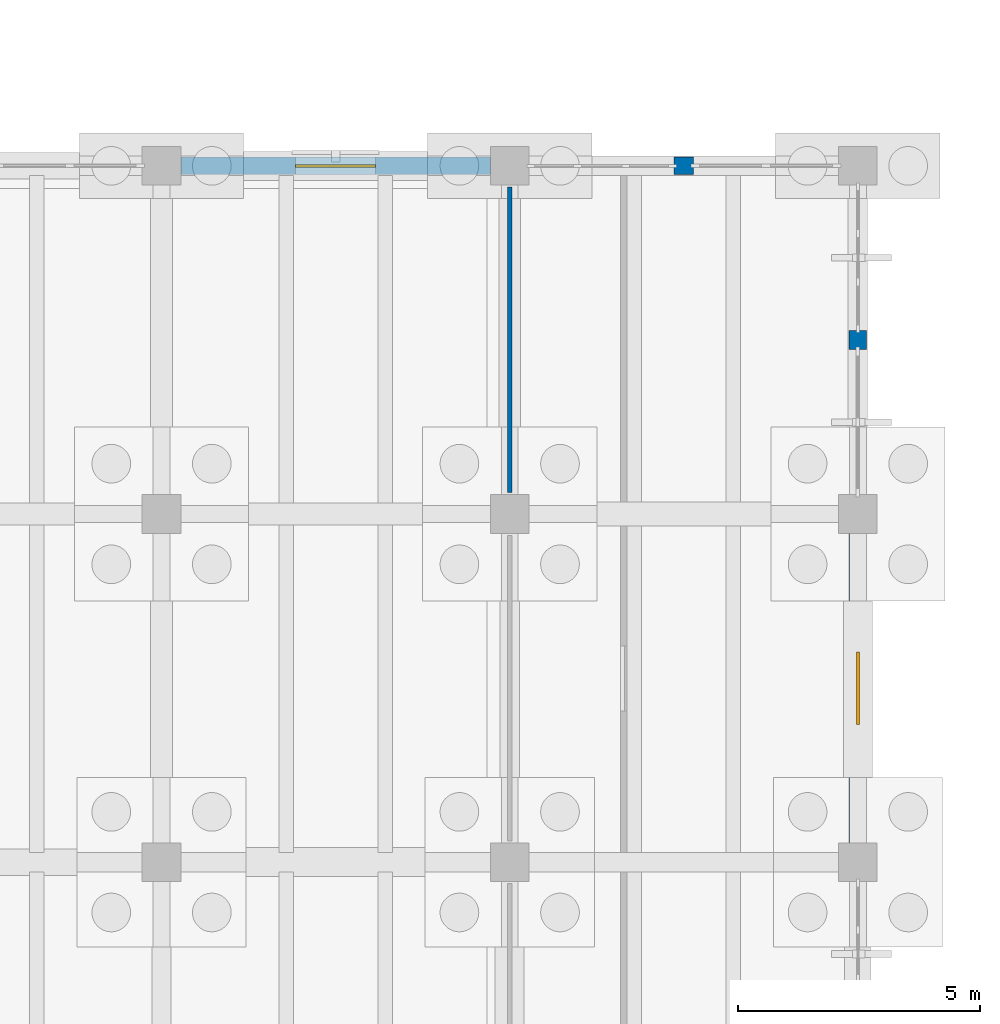
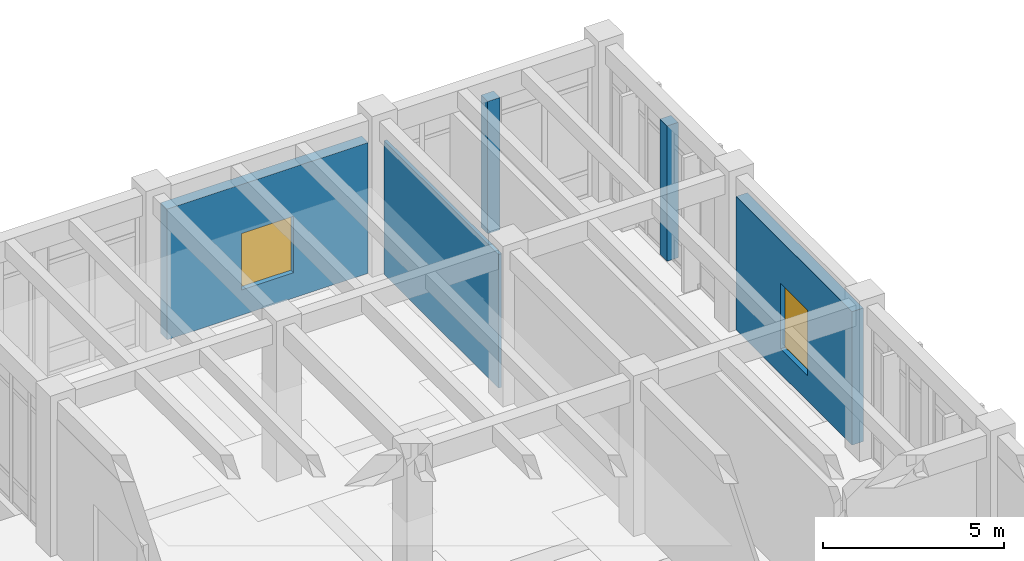
# One storey, part 72 of 93: 5 walls, 2 windows, 2 openings.
"""IFC4 building model written with IfcOpenShell, lengths in metres."""

from ifc_helpers import new_model, si_unit, direction, frame, frame_2d, origin, place, context, subcontext, project, spatial, rectangle, extrude, material, layer, layer_set, type_object, element, fill, save


model = new_model("IFC4")

# Units and contexts
model_context = context("Model", 3, precision=1e-05, world=origin(), true_north=direction((0.0, 1.0)))
body_context = subcontext(model_context, "Body", "Model", "MODEL_VIEW")
ifc_project = project(units=[si_unit("LENGTHUNIT", "METRE"), si_unit("AREAUNIT", "SQUARE_METRE"), si_unit("VOLUMEUNIT", "CUBIC_METRE"), si_unit("PLANEANGLEUNIT", "RADIAN"), si_unit("MASSUNIT", "GRAM", prefix="KILO")], contexts=[model_context])

# Site, building, storey
site_placement = place(None, origin())
site = spatial("IfcSite", under=ifc_project, at=site_placement, CompositionType="ELEMENT")
building_placement = place(site_placement, origin())
building = spatial("IfcBuilding", under=site, at=building_placement, Name="Koriwan Promenade Central Fire Station", CompositionType="ELEMENT")
storey_placement = place(building_placement, origin())
storey = spatial("IfcBuildingStorey", under=building, at=storey_placement, Name="L00", CompositionType="ELEMENT", Elevation=0.0)

# Wall, opening, window
ifc_material_1 = material(Name="Natural sillar sandstone ashlar", Category="masonry")
ifc_layer_1 = layer(ifc_material_1, 0.360107421875, Name="Natural sillar sandstone ashlar")
ifc_layer_set_1 = layer_set([ifc_layer_1], Name="Natural sillar sandstone ashlar")
wall_type_1 = type_object("IfcWallType", Name="ExtWall_SillarBase_360", PredefinedType="SOLIDWALL", material=ifc_layer_set_1)
wall_1_placement = place(storey_placement, frame((158.800048828125, 79.199951171875, 0.0), z_axis=(0.0, 0.0, 1.0), x_axis=(1.0, 0.0, 0.0)))
wall_1 = element("IfcWall", 1, at=wall_1_placement, inside=storey, type_object=wall_type_1, Name="V5 L00 exterior wall 222", PredefinedType="SOLIDWALL", context=body_context, shape_type="SweptSolid", body=[
    extrude(rectangle(XDim=6.39990234375, YDim=0.360107421875, at=frame_2d((3.199951171875, 0.0))), origin(), (0.0, 0.0, 1.0), 4.39990234375),
])
opening_1_placement = place(wall_1_placement, frame((2.375, 0.0, 0.85009765625)))
opening_1 = element("IfcOpeningElement", 2, at=opening_1_placement, cuts=wall_1, Name="Opening W-15", PredefinedType="OPENING", context=body_context, shape_type="SweptSolid", body=[
    extrude(rectangle(XDim=1.64990234375, YDim=1.89990234375, at=frame_2d((0.824951171875, 0.949951171875))), frame((0.0, 0.19189453125, 0.0), z_axis=(0.0, -1.0, 0.0), x_axis=(1.0, 0.0, 0.0)), (0.0, 0.0, 1.0), 0.384033203125),
])
ifc_material_2 = material(Name="Solar-control low-E laminated double glazing", Category="glass")
window_type_1 = type_object("IfcWindowType", Name="Win_Office_1650x1900", PartitioningType="SINGLE_PANEL", PredefinedType="WINDOW", material=ifc_material_2)
window_1_placement = place(opening_1_placement, origin())
window_1 = element("IfcWindow", 3, at=window_1_placement, inside=storey, type_object=window_type_1, Name="V5 L00 window 0090", OverallHeight=1.89990234375, OverallWidth=1.64990234375, PartitioningType="SINGLE_PANEL", PredefinedType="WINDOW", context=body_context, shape_type="SweptSolid", body=[
    extrude(rectangle(XDim=1.64990234375, YDim=1.89990234375, at=frame_2d((0.824951171875, 0.949951171875))), frame((0.0, 0.030029296875, 0.0), z_axis=(0.0, -1.0, 0.0), x_axis=(1.0, 0.0, 0.0)), (0.0, 0.0, 1.0), 0.06005859375),
])
fill(opening_1, window_1)

# Walls
wall_2_placement = place(storey_placement, frame((169.0, 79.199951171875, 0.0), z_axis=(0.0, 0.0, 1.0), x_axis=(1.0, 0.0, 0.0)))
element("IfcWall", 4, at=wall_2_placement, inside=storey, type_object=wall_type_1, Name="V5 L00 sillar facade mullion pier 223", PredefinedType="SOLIDWALL", context=body_context, shape_type="SweptSolid", body=[
    extrude(rectangle(XDim=0.39990234375, YDim=0.360107421875, at=frame_2d((0.199951171875, 0.0))), origin(), (0.0, 0.0, 1.0), 4.449951171875),
])
wall_3_placement = place(storey_placement, frame((172.800048828125, 75.800048828125, 0.0), z_axis=(0.0, 0.0, 1.0), x_axis=(0.0, -1.0, 0.0)))
element("IfcWall", 5, at=wall_3_placement, inside=storey, type_object=wall_type_1, Name="V5 L00 sillar facade mullion pier 224", PredefinedType="SOLIDWALL", context=body_context, shape_type="SweptSolid", body=[
    extrude(rectangle(XDim=0.400146484375, YDim=0.360107421875, at=frame_2d((0.2001953125, 0.0))), origin(), (0.0, 0.0, 1.0), 4.550048828125),
])

# Wall, opening, window
wall_4_placement = place(storey_placement, frame((172.800048828125, 71.60009765625, 0.0), z_axis=(0.0, 0.0, 1.0), x_axis=(0.0, -1.0, 0.0)))
wall_4 = element("IfcWall", 6, at=wall_4_placement, inside=storey, type_object=wall_type_1, Name="V5 L00 exterior wall 225", PredefinedType="SOLIDWALL", context=body_context, shape_type="SweptSolid", body=[
    extrude(rectangle(XDim=6.400146484375, YDim=0.360107421875, at=frame_2d((3.2001953125, 0.0))), origin(), (0.0, 0.0, 1.0), 4.489990234375),
])
opening_2_placement = place(wall_4_placement, frame((2.449951171875, 0.0, 0.85009765625)))
opening_2 = element("IfcOpeningElement", 7, at=opening_2_placement, cuts=wall_4, Name="Opening W-02", PredefinedType="OPENING", context=body_context, shape_type="SweptSolid", body=[
    extrude(rectangle(XDim=1.5, YDim=2.199951171875, at=frame_2d((0.75, 1.10009765625))), frame((0.0, 0.19189453125, 0.0), z_axis=(0.0, -1.0, 0.0), x_axis=(1.0, 0.0, 0.0)), (0.0, 0.0, 1.0), 0.384033203125),
])
window_type_2 = type_object("IfcWindowType", Name="Win_Jharokha_1500x2200", PartitioningType="SINGLE_PANEL", PredefinedType="WINDOW", material=ifc_material_2)
window_2_placement = place(opening_2_placement, origin())
window_2 = element("IfcWindow", 8, at=window_2_placement, inside=storey, type_object=window_type_2, Name="V5 L00 window 0091", OverallHeight=2.199951171875, OverallWidth=1.5, PartitioningType="SINGLE_PANEL", PredefinedType="WINDOW", context=body_context, shape_type="SweptSolid", body=[
    extrude(rectangle(XDim=1.5, YDim=2.199951171875, at=frame_2d((0.75, 1.10009765625))), frame((0.0, 0.030029296875, 0.0), z_axis=(0.0, -1.0, 0.0), x_axis=(1.0, 0.0, 0.0)), (0.0, 0.0, 1.0), 0.06005859375),
])
fill(opening_2, window_2)

# Wall
ifc_material_3 = material(Name="Gypsum board acoustic stud partition", Category="gypsum")
ifc_layer_2 = layer(ifc_material_3, 0.10009765625, Name="Gypsum board acoustic stud partition")
ifc_layer_set_2 = layer_set([ifc_layer_2], Name="Gypsum board acoustic stud partition")
wall_type_2 = type_object("IfcWallType", Name="IntWall_Drywall_100", PredefinedType="PARTITIONING", material=ifc_layer_set_2)
wall_5_placement = place(storey_placement, frame((165.60009765625, 72.43994140625, 0.0), z_axis=(0.0, 0.0, 1.0), x_axis=(0.0, 1.0, 0.0)))
element("IfcWall", 9, at=wall_5_placement, inside=storey, type_object=wall_type_2, Name="Hydrant Mapping and Engineering Office partition E", PredefinedType="PARTITIONING", context=body_context, shape_type="SweptSolid", body=[
    extrude(rectangle(XDim=6.320068359375, YDim=0.10009765625, at=frame_2d((3.16015625, 0.0))), origin(), (0.0, 0.0, 1.0), 4.498046875),
])

save(model, "model.ifc")
